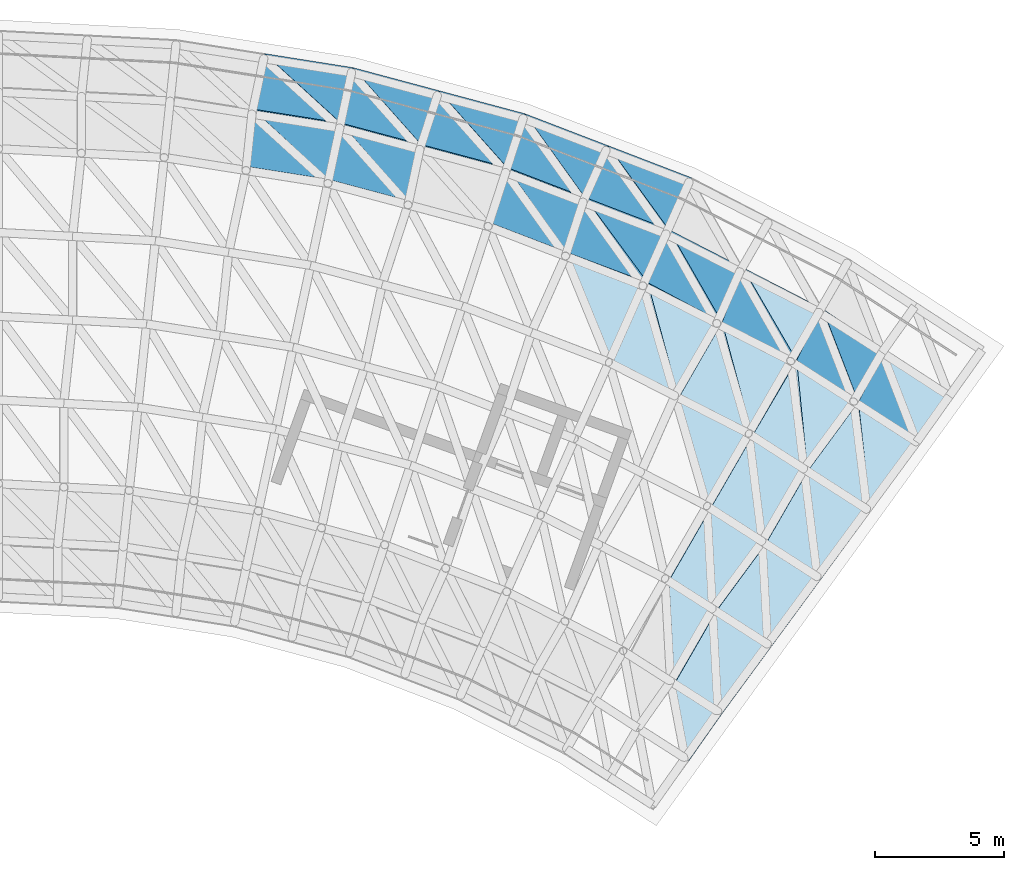
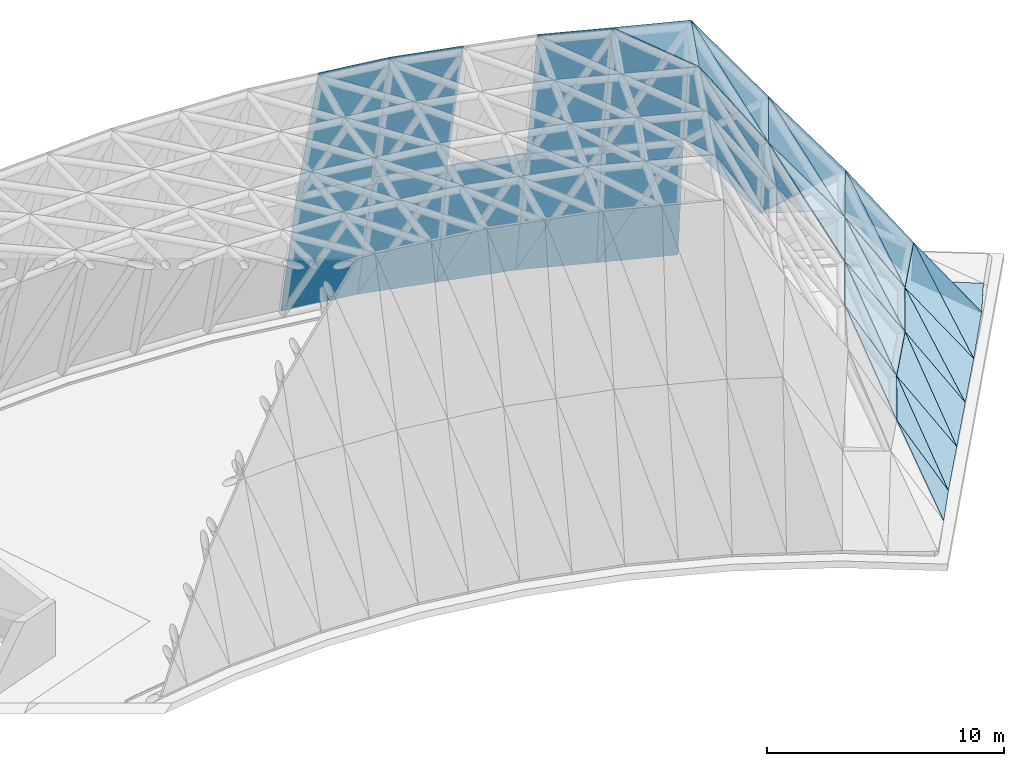
# One storey, part 18 of 20: 48 plates, 25 elements without a shape of their own.
"""IFC4 building model written with IfcOpenShell, lengths in metres."""

from ifc_helpers import new_model, si_unit, direction, frame, origin, place, context, subcontext, project, spatial, polyline, outline, extrude, material, layer, layer_set, type_object, element, aggregate, save


model = new_model("IFC4")

# Units and contexts
model_context = context("Model", 3, precision=1e-05, world=origin(), true_north=direction((0.0, 1.0)))
body_context = subcontext(model_context, "Body", "Model", "MODEL_VIEW")
ifc_project = project(units=[si_unit("LENGTHUNIT", "METRE"), si_unit("AREAUNIT", "SQUARE_METRE"), si_unit("VOLUMEUNIT", "CUBIC_METRE"), si_unit("PLANEANGLEUNIT", "RADIAN"), si_unit("MASSUNIT", "GRAM", prefix="KILO")], contexts=[model_context])

# Site, building, storey
site_placement = place(None, origin())
site = spatial("IfcSite", under=ifc_project, at=site_placement, CompositionType="ELEMENT")
building_placement = place(site_placement, origin())
building = spatial("IfcBuilding", under=site, at=building_placement, Name="Stone Belt Terrace Tower", CompositionType="ELEMENT")
storey_placement = place(building_placement, frame((0.0, 0.0, 337.39990234375)))
storey = spatial("IfcBuildingStorey", under=building, at=storey_placement, Name="RF", CompositionType="ELEMENT", Elevation=337.39990234375)

# Curtain wall, plate
ifc_material_1 = material(Name="Structural steel C345", Category="steel")
ifc_layer_1 = layer(ifc_material_1, 0.324951171875)
ifc_layer_set_1 = layer_set([ifc_layer_1], Name="CW-F glass point curtain wall")
curtain_wall_type = type_object("IfcCurtainWallType", Name="CW-F glass point curtain wall", PredefinedType="NOTDEFINED", material=ifc_layer_set_1)
curtain_wall_1_placement = place(storey_placement, origin())
curtain_wall_1 = element("IfcCurtainWall", 1, at=curtain_wall_1_placement, inside=storey, type_object=curtain_wall_type, Name="CW-F glass point panels 12", PredefinedType="NOTDEFINED")
ifc_material_2 = material(Name="Clear double glazed unit")
ifc_layer_2 = layer(ifc_material_2, 0.044921875)
ifc_layer_set_2 = layer_set([ifc_layer_2], Name="Glass point facet panel 45")
plate_type = type_object("IfcPlateType", Name="Glass point facet panel 45", PredefinedType="CURTAIN_PANEL", material=ifc_layer_set_2)
plate_1_placement = place(storey_placement, frame((13.74658203125, 64.65380859375, 0.22021484375), z_axis=(0.150134435426, 0.947867144522, 0.281082777193), x_axis=(-0.058952652486, -0.27521646134, 0.95957307391)))
plate_1 = element("IfcPlate", 2, at=plate_1_placement, type_object=plate_type, Name="GLASS POINT FACET 226", PredefinedType="CURTAIN_PANEL", context=body_context, shape_type="SweptSolid", body=[
    extrude(outline(polyline([(0.0, 0.0), (7.818774568471875, -4.163336342344337e-17), (0.05230037956235727, -3.4636551994175466), (0.0, 0.0)])), origin(), (0.0, 0.0, -1.0), 0.044921875),
])

curtain_wall_2_placement = place(storey_placement, origin())
curtain_wall_2 = element("IfcCurtainWall", 3, at=curtain_wall_2_placement, inside=storey, type_object=curtain_wall_type, Name="CW-F glass point panels 18", PredefinedType="NOTDEFINED")
plate_2_placement = place(storey_placement, frame((12.816650390625, 60.308349609375, 15.37255859375), z_axis=(0.150084569004, 0.947886788102, 0.281043162324), x_axis=(-0.341077378322, 0.316452483977, -0.885168937199)))
plate_2 = element("IfcPlate", 4, at=plate_2_placement, type_object=plate_type, Name="GLASS POINT FACET 227", PredefinedType="CURTAIN_PANEL", context=body_context, shape_type="SweptSolid", body=[
    extrude(outline(polyline([(0.0, 0.0), (8.645341661942865, 4.440892098500626e-16), (7.308050738501405, -3.1917276756557293), (0.0, 0.0)])), origin(), (0.0, 0.0, -1.0), 0.044921875),
])
aggregate(curtain_wall_2, [plate_2])

curtain_wall_3_placement = place(storey_placement, origin())
curtain_wall_3 = element("IfcCurtainWall", 5, at=curtain_wall_3_placement, inside=storey, type_object=curtain_wall_type, Name="CW-F glass point panels 25", PredefinedType="NOTDEFINED")
plate_3_placement = place(storey_placement, frame((10.32568359375, 65.19580078125, 0.218994140625), z_axis=(0.150170334257, 0.947874066545, 0.281040254555), x_axis=(0.348134676627, -0.316754897511, 0.882308665849)))
plate_3 = element("IfcPlate", 6, at=plate_3_placement, type_object=plate_type, Name="GLASS POINT FACET 228", PredefinedType="CURTAIN_PANEL", context=body_context, shape_type="SweptSolid", body=[
    extrude(outline(polyline([(0.0, 0.0), (8.503747019505795, 4.440892098500626e-16), (7.142309559678597, -3.1815444204725214), (0.0, 0.0)])), origin(), (0.0, 0.0, -1.0), 0.044921875),
])
aggregate(curtain_wall_3, [plate_3])

curtain_wall_4_placement = place(storey_placement, origin())
curtain_wall_4 = element("IfcCurtainWall", 7, at=curtain_wall_4_placement, inside=storey, type_object=curtain_wall_type, Name="CW-F glass point panels 38", PredefinedType="NOTDEFINED")
plate_4_placement = place(storey_placement, frame((12.817138671875, 60.308349609375, 15.37158203125), z_axis=(0.150103777111, 0.947879199091, 0.281058499298), x_axis=(-0.987685505539, 0.156452290593, -0.000151381026)))
plate_4 = element("IfcPlate", 8, at=plate_4_placement, type_object=plate_type, Name="GLASS POINT FACET 230", PredefinedType="CURTAIN_PANEL", context=body_context, shape_type="SweptSolid", body=[
    extrude(outline(polyline([(0.0, 0.0), (3.225511559862608, 3.5887091909270197e-17), (3.3418845411010394, -7.973488317793041), (0.0, 0.0)])), origin(), (0.0, 0.0, -1.0), 0.044921875),
])
aggregate(curtain_wall_4, [plate_4])

curtain_wall_5_placement = place(storey_placement, origin())
curtain_wall_5 = element("IfcCurtainWall", 9, at=curtain_wall_5_placement, inside=storey, type_object=curtain_wall_type, Name="CW-F glass point panels 5", PredefinedType="NOTDEFINED")
plate_5_placement = place(storey_placement, frame((13.745361328125, 64.654052734375, 0.22021484375), z_axis=(0.248465788592, 0.926959620319, 0.281088267625), x_axis=(0.965908327104, -0.258884334491, -7.0617658e-05)))
plate_5 = element("IfcPlate", 10, at=plate_5_placement, type_object=plate_type, Name="GLASS POINT FACET 257", PredefinedType="CURTAIN_PANEL", context=body_context, shape_type="SweptSolid", body=[
    extrude(outline(polyline([(0.0, 0.0), (3.457217807369699, -3.347474207548995e-17), (3.3414867928902297, -7.817879284158793), (0.0, 0.0)])), origin(), (0.0, 0.0, -1.0), 0.044921875),
])

# Plate
plate_6_placement = place(storey_placement, frame((20.429443359375, 62.86279296875, 0.22021484375), z_axis=(0.248350662853, 0.926995344934, 0.281072194875), x_axis=(-0.087398816848, -0.2675359281, 0.959575934457)))
plate_6 = element("IfcPlate", 11, at=plate_6_placement, type_object=plate_type, Name="GLASS POINT FACET 258", PredefinedType="CURTAIN_PANEL", context=body_context, shape_type="SweptSolid", body=[
    extrude(outline(polyline([(0.0, 0.0), (7.818751260283176, -9.71445146547012e-17), (0.052355781489517084, -3.46356843020487), (0.0, 0.0)])), origin(), (0.0, 0.0, -1.0), 0.044921875),
])

aggregate(curtain_wall_1, [plate_1, plate_6])

# Curtain wall, plate
curtain_wall_6_placement = place(storey_placement, origin())
curtain_wall_6 = element("IfcCurtainWall", 12, at=curtain_wall_6_placement, inside=storey, type_object=curtain_wall_type, Name="CW-F glass point panels 26", PredefinedType="NOTDEFINED")
plate_7_placement = place(storey_placement, frame((17.083984375, 63.759521484375, 0.218994140625), z_axis=(0.248399808935, 0.926980153705, 0.28107886715), x_axis=(0.313106698235, -0.351433989831, 0.88230286541)))
plate_7 = element("IfcPlate", 13, at=plate_7_placement, type_object=plate_type, Name="GLASS POINT FACET 260", PredefinedType="CURTAIN_PANEL", context=body_context, shape_type="SweptSolid", body=[
    extrude(outline(polyline([(0.0, 0.0), (8.503802924871152, -4.440892098500626e-16), (7.142360488121164, -3.1816631354370433), (0.0, 0.0)])), origin(), (0.0, 0.0, -1.0), 0.044921875),
])

curtain_wall_7_placement = place(storey_placement, origin())
curtain_wall_7 = element("IfcCurtainWall", 14, at=curtain_wall_7_placement, inside=storey, type_object=curtain_wall_type, Name="CW-F glass point panels 32", PredefinedType="NOTDEFINED")
plate_8_placement = place(storey_placement, frame((13.745849609375, 64.654296875, 0.21923828125), z_axis=(0.248336521445, 0.926982792229, 0.281126083863), x_axis=(0.312787398007, -0.351408443661, 0.882426285517)))
plate_8 = element("IfcPlate", 15, at=plate_8_placement, type_object=plate_type, Name="GLASS POINT FACET 261", PredefinedType="CURTAIN_PANEL", context=body_context, shape_type="SweptSolid", body=[
    extrude(outline(polyline([(0.0, 0.0), (8.502336875059585, 0.0), (7.232571678521876, -2.9703775294776618), (0.0, 0.0)])), origin(), (0.0, 0.0, -1.0), 0.044921875),
])
aggregate(curtain_wall_7, [plate_8])

curtain_wall_8_placement = place(storey_placement, origin())
curtain_wall_8 = element("IfcCurtainWall", 16, at=curtain_wall_8_placement, inside=storey, type_object=curtain_wall_type, Name="CW-F glass point panels 44", PredefinedType="NOTDEFINED")
plate_9_placement = place(storey_placement, frame((12.81591796875, 60.30859375, 15.37158203125), z_axis=(0.248363786086, 0.926992925408, 0.281068578828), x_axis=(0.058839653866, 0.275187122062, -0.959588423744)))
plate_9 = element("IfcPlate", 17, at=plate_9_placement, type_object=plate_type, Name="GLASS POINT FACET 263", PredefinedType="CURTAIN_PANEL", context=body_context, shape_type="SweptSolid", body=[
    extrude(outline(polyline([(0.0, 0.0), (7.974864745413177, -4.163336342344337e-17), (-0.04595534017951046, -3.230303134479212), (0.0, 0.0)])), origin(), (0.0, 0.0, -1.0), 0.044921875),
])
aggregate(curtain_wall_8, [plate_9])

curtain_wall_9_placement = place(storey_placement, origin())
curtain_wall_9 = element("IfcCurtainWall", 18, at=curtain_wall_9_placement, inside=storey, type_object=curtain_wall_type, Name="CW-F glass point panels 49", PredefinedType="NOTDEFINED")
plate_10_placement = place(storey_placement, frame((16.40478515625, 61.6669921875, 7.719970703125), z_axis=(0.248426608405, 0.926975782604, 0.281069597612), x_axis=(-0.058782091639, -0.275204282158, 0.959587030334)))
plate_10 = element("IfcPlate", 19, at=plate_10_placement, type_object=plate_type, Name="GLASS POINT FACET 264", PredefinedType="CURTAIN_PANEL", context=body_context, shape_type="SweptSolid", body=[
    extrude(outline(polyline([(0.0, 0.0), (7.974367480471424, -1.249000902703301e-16), (-0.0467137537216753, -3.229883716957077), (0.0, 0.0)])), origin(), (0.0, 0.0, -1.0), 0.044921875),
])
aggregate(curtain_wall_9, [plate_10])

# Plate
plate_11_placement = place(storey_placement, frame((20.42822265625, 62.863037109375, 0.22021484375), z_axis=(0.344018702841, 0.895911385536, 0.281058572833), x_axis=(0.933549294664, -0.358449033261, -7.0616437e-05)))
plate_11 = element("IfcPlate", 20, at=plate_11_placement, type_object=plate_type, Name="GLASS POINT FACET 289", PredefinedType="CURTAIN_PANEL", context=body_context, shape_type="SweptSolid", body=[
    extrude(outline(polyline([(0.0, 0.0), (3.457277597389355, -1.496198998029996e-17), (3.3416889896946484, -7.81780844663548), (0.0, 0.0)])), origin(), (0.0, 0.0, -1.0), 0.044921875),
])

aggregate(curtain_wall_5, [plate_5, plate_11])

# Curtain wall, plate
curtain_wall_10_placement = place(storey_placement, origin())
curtain_wall_10 = element("IfcCurtainWall", 21, at=curtain_wall_10_placement, inside=storey, type_object=curtain_wall_type, Name="CW-F glass point panels 13", PredefinedType="NOTDEFINED")
plate_12_placement = place(storey_placement, frame((26.9091796875, 60.37255859375, 0.240234375), z_axis=(0.342919822797, 0.896201795677, 0.281475285876), x_axis=(-0.113693165237, -0.257844328761, 0.959473900794)))
plate_12 = element("IfcPlate", 22, at=plate_12_placement, type_object=plate_type, Name="GLASS POINT FACET 290", PredefinedType="CURTAIN_PANEL", context=body_context, shape_type="SweptSolid", body=[
    extrude(outline(polyline([(0.0, 0.0), (7.79922652474885, -1.1102230246251565e-16), (0.027841645130627465, -3.486987772451122), (0.0, 0.0)])), origin(), (0.0, 0.0, -1.0), 0.044921875),
])

curtain_wall_11_placement = place(storey_placement, origin())
curtain_wall_11 = element("IfcCurtainWall", 23, at=curtain_wall_11_placement, inside=storey, type_object=curtain_wall_type, Name="CW-F glass point panels 19", PredefinedType="NOTDEFINED")
plate_13_placement = place(storey_placement, frame((25.205078125, 56.301025390625, 15.371826171875), z_axis=(0.3441883744, 0.896689279921, 0.278357141461), x_axis=(-0.281399976548, 0.381362148728, -0.880554918626)))
plate_13 = element("IfcPlate", 24, at=plate_13_placement, type_object=plate_type, Name="GLASS POINT FACET 291", PredefinedType="CURTAIN_PANEL", context=body_context, shape_type="SweptSolid", body=[
    extrude(outline(polyline([(0.0, 0.0), (8.689810603396745, 0.0), (7.293247728289535, -3.2039986932617937), (0.0, 0.0)])), origin(), (0.0, 0.0, -1.0), 0.044921875),
])
aggregate(curtain_wall_11, [plate_13])

# Plate
plate_14_placement = place(storey_placement, frame((23.655029296875, 61.62451171875, 0.218994140625), z_axis=(0.34392231163, 0.895943061015, 0.281075568099), x_axis=(0.277992474484, -0.38306726688, 0.880897072975)))
plate_14 = element("IfcPlate", 25, at=plate_14_placement, type_object=plate_type, Name="GLASS POINT FACET 292", PredefinedType="CURTAIN_PANEL", context=body_context, shape_type="SweptSolid", body=[
    extrude(outline(polyline([(0.0, 0.0), (8.517928142742962, 0.0), (7.1305625758524105, -3.207991891563043), (0.0, 0.0)])), origin(), (0.0, 0.0, -1.0), 0.044921875),
])

aggregate(curtain_wall_6, [plate_7, plate_14])

# Curtain wall, plate
curtain_wall_12_placement = place(storey_placement, origin())
curtain_wall_12 = element("IfcCurtainWall", 26, at=curtain_wall_12_placement, inside=storey, type_object=curtain_wall_type, Name="CW-F glass point panels 33", PredefinedType="NOTDEFINED")
plate_15_placement = place(storey_placement, frame((20.4287109375, 62.86328125, 0.21923828125), z_axis=(0.343924416257, 0.895929631807, 0.281115795985), x_axis=(0.274337630363, -0.382189016133, 0.882423039428)))
plate_15 = element("IfcPlate", 27, at=plate_15_placement, type_object=plate_type, Name="GLASS POINT FACET 293", PredefinedType="CURTAIN_PANEL", context=body_context, shape_type="SweptSolid", body=[
    extrude(outline(polyline([(0.0, 0.0), (8.502368151829424, -8.881784197001252e-16), (7.232535861208682, -2.970403387843164), (0.0, 0.0)])), origin(), (0.0, 0.0, -1.0), 0.044921875),
])
aggregate(curtain_wall_12, [plate_15])

curtain_wall_13_placement = place(storey_placement, origin())
curtain_wall_13 = element("IfcCurtainWall", 28, at=curtain_wall_13_placement, inside=storey, type_object=curtain_wall_type, Name="CW-F glass point panels 39", PredefinedType="NOTDEFINED")
plate_16_placement = place(storey_placement, frame((25.20556640625, 56.30126953125, 15.37109375), z_axis=(0.33754906088, 0.89833857431, 0.281155539525), x_axis=(-0.936098725539, 0.351737367995, 0.0)))
plate_16 = element("IfcPlate", 29, at=plate_16_placement, type_object=plate_type, Name="GLASS POINT FACET 294", PredefinedType="CURTAIN_PANEL", context=body_context, shape_type="SweptSolid", body=[
    extrude(outline(polyline([(0.0, 0.0), (3.355275522692507, 5.551115123125783e-17), (3.4546133131826524, -7.973742747866507), (0.0, 0.0)])), origin(), (0.0, 0.0, -1.0), 0.044921875),
])

curtain_wall_14_placement = place(storey_placement, origin())
curtain_wall_14 = element("IfcCurtainWall", 30, at=curtain_wall_14_placement, inside=storey, type_object=curtain_wall_type, Name="CW-F glass point panels 45", PredefinedType="NOTDEFINED")
plate_17_placement = place(storey_placement, frame((19.049560546875, 58.638671875, 15.37158203125), z_axis=(0.343920212877, 0.895945189244, 0.281071352232), x_axis=(0.087279753776, 0.267533415732, -0.959587471806)))
plate_17 = element("IfcPlate", 31, at=plate_17_placement, type_object=plate_type, Name="GLASS POINT FACET 295", PredefinedType="CURTAIN_PANEL", context=body_context, shape_type="SweptSolid", body=[
    extrude(outline(polyline([(0.0, 0.0), (7.9748726567053705, -1.1102230246251565e-16), (-0.045991924938976775, -3.2305728187425946), (0.0, 0.0)])), origin(), (0.0, 0.0, -1.0), 0.044921875),
])

curtain_wall_15_placement = place(storey_placement, origin())
curtain_wall_15 = element("IfcCurtainWall", 32, at=curtain_wall_15_placement, inside=storey, type_object=curtain_wall_type, Name="CW-F glass point panels 50", PredefinedType="NOTDEFINED")
plate_18_placement = place(storey_placement, frame((22.760986328125, 59.614501953125, 7.719970703125), z_axis=(0.343866168655, 0.895966838515, 0.281068465567), x_axis=(-0.087224116969, -0.267550564475, 0.959587749436)))
plate_18 = element("IfcPlate", 33, at=plate_18_placement, type_object=plate_type, Name="GLASS POINT FACET 296", PredefinedType="CURTAIN_PANEL", context=body_context, shape_type="SweptSolid", body=[
    extrude(outline(polyline([(0.0, 0.0), (7.97436150458287, 4.163336342344337e-17), (-0.046625417300183936, -3.230020305265656), (0.0, 0.0)])), origin(), (0.0, 0.0, -1.0), 0.044921875),
])

curtain_wall_16_placement = place(storey_placement, origin())
curtain_wall_16 = element("IfcCurtainWall", 34, at=curtain_wall_16_placement, inside=storey, type_object=curtain_wall_type, Name="CW-F glass point panels 6", PredefinedType="NOTDEFINED")
plate_19_placement = place(storey_placement, frame((25.20556640625, 56.302001953125, 15.3701171875), z_axis=(0.0, 0.0, 1.0), x_axis=(-0.412132776998, -0.911123797365, 0.0)))
plate_19 = element("IfcPlate", 35, at=plate_19_placement, type_object=plate_type, Name="GLASS POINT FACET 298", PredefinedType="CURTAIN_PANEL", context=body_context, shape_type="SweptSolid", body=[
    extrude(outline(polyline([(0.0, 0.0), (3.4376010012960543, 0.0), (0.21914767611689312, -3.348655243524047), (0.0, 0.0)])), origin(), (0.0, 0.0, -1.0), 0.044921875),
])

curtain_wall_17_placement = place(storey_placement, origin())
curtain_wall_17 = element("IfcCurtainWall", 36, at=curtain_wall_17_placement, inside=storey, type_object=curtain_wall_type, Name="CW-F glass point panels 20", PredefinedType="NOTDEFINED")
plate_20_placement = place(storey_placement, frame((30.98291015625, 53.2890625, 7.462890625), z_axis=(0.386280932468, 0.75822704071, 0.525241654809), x_axis=(-0.377182589558, 0.649501631079, -0.66021278794)))
plate_20 = element("IfcPlate", 37, at=plate_20_placement, type_object=plate_type, Name="GLASS POINT FACET 323", PredefinedType="CURTAIN_PANEL", context=body_context, shape_type="SweptSolid", body=[
    extrude(outline(polyline([(0.0, 0.0), (5.53872682875201, 0.0), (3.3168270841709138, -2.685023914239601), (0.0, 0.0)])), origin(), (0.0, 0.0, -1.0), 0.044921875),
])

# Plate
plate_21_placement = place(storey_placement, frame((30.983154296875, 53.289306640625, 7.4619140625), z_axis=(0.694419585457, 0.67000267626, 0.262445905166), x_axis=(-0.570700152247, 0.290668653067, 0.767992884309)))
plate_21 = element("IfcPlate", 38, at=plate_21_placement, type_object=plate_type, Name="GLASS POINT FACET 326", PredefinedType="CURTAIN_PANEL", context=body_context, shape_type="SweptSolid", body=[
    extrude(outline(polyline([(0.0, 0.0), (5.072322793725801, 0.0), (-0.5704834881100154, -5.508440787515523), (0.0, 0.0)])), origin(), (0.0, 0.0, -1.0), 0.044921875),
])

plate_22_placement = place(storey_placement, frame((25.204345703125, 56.3017578125, 15.371337890625), z_axis=(0.705747143299, 0.661513658598, 0.253615159667), x_axis=(0.102640470834, 0.258731219701, -0.960480655557)))
plate_22 = element("IfcPlate", 39, at=plate_22_placement, type_object=plate_type, Name="GLASS POINT FACET 327", PredefinedType="CURTAIN_PANEL", context=body_context, shape_type="SweptSolid", body=[
    extrude(outline(polyline([(0.0, 0.0), (7.96593143506751, -3.3306690738754696e-16), (3.7545027242616404, -3.5658833601395643), (0.0, 0.0)])), origin(), (0.0, 0.0, -1.0), 0.044921875),
])

aggregate(curtain_wall_15, [plate_18, plate_22])

plate_23_placement = place(storey_placement, frame((28.89501953125, 56.8857421875, 3.8056640625), z_axis=(0.698829977765, 0.665692847087, 0.261705360118), x_axis=(-0.102229716357, -0.269165703817, 0.95765281234)))
plate_23 = element("IfcPlate", 40, at=plate_23_placement, type_object=plate_type, Name="GLASS POINT FACET 328", PredefinedType="CURTAIN_PANEL", context=body_context, shape_type="SweptSolid", body=[
    extrude(outline(polyline([(0.0, 0.0), (7.885694810471071, 2.220446049250313e-16), (3.6464134031588715, -3.532082499429044), (0.0, 0.0)])), origin(), (0.0, 0.0, -1.0), 0.044921875),
])

aggregate(curtain_wall_13, [plate_16, plate_23])

plate_24_placement = place(storey_placement, frame((25.204345703125, 56.302490234375, 15.371337890625), z_axis=(0.671692206959, -0.387862826457, 0.631183021764), x_axis=(0.557124716312, -0.297114323618, -0.775458012516)))
plate_24 = element("IfcPlate", 41, at=plate_24_placement, type_object=plate_type, Name="GLASS POINT FACET 329", PredefinedType="CURTAIN_PANEL", context=body_context, shape_type="SweptSolid", body=[
    extrude(outline(polyline([(0.0, 0.0), (5.17839126708081, 1.6653345369377348e-16), (5.116431188204519, -3.3816406158861243), (0.0, 0.0)])), origin(), (0.0, 0.0, -1.0), 0.044921875),
])

aggregate(curtain_wall_10, [plate_12, plate_24])

plate_25_placement = place(storey_placement, frame((30.9833984375, 53.2900390625, 7.46142578125), z_axis=(0.657935780101, -0.397691876402, 0.639501118612), x_axis=(-0.505501924623, -0.862669571663, -0.016401656299)))
plate_25 = element("IfcPlate", 42, at=plate_25_placement, type_object=plate_type, Name="GLASS POINT FACET 330", PredefinedType="CURTAIN_PANEL", context=body_context, shape_type="SweptSolid", body=[
    extrude(outline(polyline([(0.0, 0.0), (3.3938073987655697, -2.7755575615628914e-17), (0.12756393595980883, -5.071255787380153), (0.0, 0.0)])), origin(), (0.0, 0.0, -1.0), 0.044921875),
])

aggregate(curtain_wall_16, [plate_19, plate_25])

plate_26_placement = place(storey_placement, frame((27.646240234375, 47.545654296875, 7.4013671875), z_axis=(0.671162772397, -0.387389817433, 0.632036124203), x_axis=(-0.208590268802, 0.719456184402, 0.662474828568)))
plate_26 = element("IfcPlate", 43, at=plate_26_placement, type_object=plate_type, Name="GLASS POINT FACET 331", PredefinedType="CURTAIN_PANEL", context=body_context, shape_type="SweptSolid", body=[
    extrude(outline(polyline([(0.0, 0.0), (5.959837290771831, -4.440892098500626e-16), (1.6918470437231512, -2.776684097689226), (0.0, 0.0)])), origin(), (0.0, 0.0, -1.0), 0.044921875),
])

# Curtain wall, plate
curtain_wall_18_placement = place(storey_placement, origin())
curtain_wall_18 = element("IfcCurtainWall", 44, at=curtain_wall_18_placement, inside=storey, type_object=curtain_wall_type, Name="CW-F glass point panels 27", PredefinedType="NOTDEFINED")
plate_27_placement = place(storey_placement, frame((28.0888671875, 54.7646484375, 11.356689453125), z_axis=(0.671074610798, -0.387510073284, 0.632056017965), x_axis=(0.195574738497, -0.729803002864, -0.655086329175)))
plate_27 = element("IfcPlate", 45, at=plate_27_placement, type_object=plate_type, Name="GLASS POINT FACET 332", PredefinedType="CURTAIN_PANEL", context=body_context, shape_type="SweptSolid", body=[
    extrude(outline(polyline([(0.0, 0.0), (6.031901200869717, 0.0), (1.8152962054714077, -2.8537750424282127), (0.0, 0.0)])), origin(), (0.0, 0.0, -1.0), 0.044921875),
])

# Plate
plate_28_placement = place(storey_placement, frame((25.204833984375, 56.302734375, 15.37060546875), z_axis=(0.736018870056, -0.33295272084, 0.589422351635), x_axis=(0.195579667602, -0.728975142097, -0.656005972401)))
plate_28 = element("IfcPlate", 46, at=plate_28_placement, type_object=plate_type, Name="GLASS POINT FACET 333", PredefinedType="CURTAIN_PANEL", context=body_context, shape_type="SweptSolid", body=[
    extrude(outline(polyline([(0.0, 0.0), (6.1328608711424675, -2.220446049250313e-16), (2.0059434354793733, -2.7913728345382025), (0.0, 0.0)])), origin(), (0.0, 0.0, -1.0), 0.044921875),
])

aggregate(curtain_wall_14, [plate_17, plate_21, plate_28])

plate_29_placement = place(storey_placement, frame((35.788818359375, 50.104248046875, 0.3701171875), z_axis=(0.0, 0.0, 1.0), x_axis=(-0.361555241351, 0.932350689093, 0.0)))
plate_29 = element("IfcPlate", 47, at=plate_29_placement, type_object=plate_type, Name="GLASS POINT FACET 355", PredefinedType="CURTAIN_PANEL", context=body_context, shape_type="SweptSolid", body=[
    extrude(outline(polyline([(0.0, 0.0), (3.7955872192462308, 0.0), (1.2693346353522614, -1.6938861493229398), (0.0, 0.0)])), origin(), (0.0, 0.0, -1.0), 0.044921875),
])

# Curtain wall, plate
curtain_wall_19_placement = place(storey_placement, origin())
curtain_wall_19 = element("IfcCurtainWall", 48, at=curtain_wall_19_placement, inside=storey, type_object=curtain_wall_type, Name="CW-F glass point panels 14", PredefinedType="NOTDEFINED")
plate_30_placement = place(storey_placement, frame((35.789306640625, 50.104736328125, 0.36962890625), z_axis=(0.839965238809, 0.325761137403, 0.433979353137), x_axis=(-0.53320407775, 0.346987820809, 0.771552243002)))
plate_30 = element("IfcPlate", 49, at=plate_30_placement, type_object=plate_type, Name="GLASS POINT FACET 358", PredefinedType="CURTAIN_PANEL", context=body_context, shape_type="SweptSolid", body=[
    extrude(outline(polyline([(0.0, 0.0), (4.519222694091637, 0.0), (1.959181501050594, -3.2496937345080252), (0.0, 0.0)])), origin(), (0.0, 0.0, -1.0), 0.044921875),
])

curtain_wall_20_placement = place(storey_placement, origin())
curtain_wall_20 = element("IfcCurtainWall", 50, at=curtain_wall_20_placement, inside=storey, type_object=curtain_wall_type, Name="CW-F glass point panels 40", PredefinedType="NOTDEFINED")
plate_31_placement = place(storey_placement, frame((30.982177734375, 53.289794921875, 7.462890625), z_axis=(0.847849437248, 0.32815533357, 0.416491787203), x_axis=(0.236511921808, 0.468961834316, -0.850962342761)))
plate_31 = element("IfcPlate", 51, at=plate_31_placement, type_object=plate_type, Name="GLASS POINT FACET 359", PredefinedType="CURTAIN_PANEL", context=body_context, shape_type="SweptSolid", body=[
    extrude(outline(polyline([(0.0, 0.0), (4.267342364959196, -2.220446049250313e-16), (2.878826539793101, -3.6192196429622543), (0.0, 0.0)])), origin(), (0.0, 0.0, -1.0), 0.044921875),
])

curtain_wall_21_placement = place(storey_placement, origin())
curtain_wall_21 = element("IfcCurtainWall", 52, at=curtain_wall_21_placement, inside=storey, type_object=curtain_wall_type, Name="CW-F glass point panels 46", PredefinedType="NOTDEFINED")
plate_32_placement = place(storey_placement, frame((34.417724609375, 53.641845703125, 0.369140625), z_axis=(0.84021500055, 0.325336942694, 0.433814046072), x_axis=(-0.250812486969, -0.476130622322, 0.842847985622)))
plate_32 = element("IfcPlate", 53, at=plate_32_placement, type_object=plate_type, Name="GLASS POINT FACET 360", PredefinedType="CURTAIN_PANEL", context=body_context, shape_type="SweptSolid", body=[
    extrude(outline(polyline([(0.0, 0.0), (4.136945766887418, 2.220446049250313e-16), (2.7425427955881116, -3.616955539451954), (0.0, 0.0)])), origin(), (0.0, 0.0, -1.0), 0.044921875),
])

# Plate
plate_33_placement = place(storey_placement, frame((30.982177734375, 53.290771484375, 7.462890625), z_axis=(0.628322419166, -0.462869570454, 0.625270100293), x_axis=(0.518670977566, -0.349792763089, -0.780144499386)))
plate_33 = element("IfcPlate", 54, at=plate_33_placement, type_object=plate_type, Name="GLASS POINT FACET 361", PredefinedType="CURTAIN_PANEL", context=body_context, shape_type="SweptSolid", body=[
    extrude(outline(polyline([(0.0, 0.0), (4.624669095393328, 1.3877787807814457e-17), (4.547857969546439, -3.3376868731470815), (0.0, 0.0)])), origin(), (0.0, 0.0, -1.0), 0.044921875),
])

aggregate(curtain_wall_18, [plate_27, plate_33])

# Curtain wall, plate
curtain_wall_22_placement = place(storey_placement, origin())
curtain_wall_22 = element("IfcCurtainWall", 55, at=curtain_wall_22_placement, inside=storey, type_object=curtain_wall_type, Name="CW-F glass point panels 7", PredefinedType="NOTDEFINED")
plate_34_placement = place(storey_placement, frame((35.78955078125, 50.105712890625, 0.36962890625), z_axis=(0.617773014815, -0.463379588901, 0.635323428464), x_axis=(-0.584672232409, -0.810944932335, -0.02294988823)))
plate_34 = element("IfcPlate", 56, at=plate_34_placement, type_object=plate_type, Name="GLASS POINT FACET 362", PredefinedType="CURTAIN_PANEL", context=body_context, shape_type="SweptSolid", body=[
    extrude(outline(polyline([(0.0, 0.0), (3.32969009957823, 1.3877787807814457e-16), (0.057325940462046615, -4.519177663835926), (0.0, 0.0)])), origin(), (0.0, 0.0, -1.0), 0.044921875),
])

# Plate
plate_35_placement = place(storey_placement, frame((31.923095703125, 44.790283203125, 0.28662109375), z_axis=(0.624087725559, -0.459714180111, 0.631804861814), x_axis=(-0.093616477707, 0.758783862488, 0.644579712006)))
plate_35 = element("IfcPlate", 57, at=plate_35_placement, type_object=plate_type, Name="GLASS POINT FACET 363", PredefinedType="CURTAIN_PANEL", context=body_context, shape_type="SweptSolid", body=[
    extrude(outline(polyline([(0.0, 0.0), (5.526099646644942, 0.0), (1.8097679385717749, -2.694352160400383), (0.0, 0.0)])), origin(), (0.0, 0.0, -1.0), 0.044921875),
])

plate_36_placement = place(storey_placement, frame((33.38037109375, 51.673828125, 3.85595703125), z_axis=(0.624063641814, -0.459748595257, 0.631803608825), x_axis=(0.083010913402, -0.764995671109, -0.638663300528)))
plate_36 = element("IfcPlate", 58, at=plate_36_placement, type_object=plate_type, Name="GLASS POINT FACET 364", PredefinedType="CURTAIN_PANEL", context=body_context, shape_type="SweptSolid", body=[
    extrude(outline(polyline([(0.0, 0.0), (5.579203343810969, -4.440892098500626e-16), (1.8999692933129, -2.7447935678917297), (0.0, 0.0)])), origin(), (0.0, 0.0, -1.0), 0.044921875),
])

aggregate(curtain_wall_17, [plate_20, plate_26, plate_29, plate_36])

# Curtain wall, plate
curtain_wall_23_placement = place(storey_placement, origin())
curtain_wall_23 = element("IfcCurtainWall", 59, at=curtain_wall_23_placement, inside=storey, type_object=curtain_wall_type, Name="CW-F glass point panels 34", PredefinedType="NOTDEFINED")
plate_37_placement = place(storey_placement, frame((30.98291015625, 53.291015625, 7.46240234375), z_axis=(0.696986737477, -0.419473747, 0.581593727064), x_axis=(0.075087533823, -0.76390205159, -0.640948919837)))
plate_37 = element("IfcPlate", 60, at=plate_37_placement, type_object=plate_type, Name="GLASS POINT FACET 365", PredefinedType="CURTAIN_PANEL", context=body_context, shape_type="SweptSolid", body=[
    extrude(outline(polyline([(0.0, 0.0), (5.641202511375159, 4.440892098500626e-16), (2.143361732475135, -2.6313359997683903), (0.0, 0.0)])), origin(), (0.0, 0.0, -1.0), 0.044921875),
])

# Plate
plate_38_placement = place(storey_placement, frame((31.923583984375, 44.79052734375, 0.285888671875), z_axis=(0.70466598002, -0.406887547945, 0.581281670045), x_axis=(-0.489409215416, 0.314436767194, 0.813392979625)))
plate_38 = element("IfcPlate", 61, at=plate_38_placement, type_object=plate_type, Name="GLASS POINT FACET 366", PredefinedType="CURTAIN_PANEL", context=body_context, shape_type="SweptSolid", body=[
    extrude(outline(polyline([(0.0, 0.0), (4.372898284991, 0.0), (4.469171525811823, -3.2505418780045523), (0.0, 0.0)])), origin(), (0.0, 0.0, -1.0), 0.044921875),
])

plate_39_placement = place(storey_placement, frame((27.645751953125, 47.54638671875, 7.40234375), z_axis=(0.704894671335, -0.406695450883, 0.581138806616), x_axis=(0.498909308968, 0.866653145737, 0.001351447338)))
plate_39 = element("IfcPlate", 62, at=plate_39_placement, type_object=plate_type, Name="GLASS POINT FACET 367", PredefinedType="CURTAIN_PANEL", context=body_context, shape_type="SweptSolid", body=[
    extrude(outline(polyline([(0.0, 0.0), (3.251722154634316, 0.0), (-0.13504864701500705, -4.375869023220339), (0.0, 0.0)])), origin(), (0.0, 0.0, -1.0), 0.044921875),
])

aggregate(curtain_wall_20, [plate_31, plate_39])

plate_40_placement = place(storey_placement, frame((31.40673828125, 48.98291015625, 3.84716796875), z_axis=(0.704692325693, -0.406867436994, 0.581263808286), x_axis=(-0.498989391466, -0.866606519494, -0.001651537026)))
plate_40 = element("IfcPlate", 63, at=plate_40_placement, type_object=plate_type, Name="GLASS POINT FACET 368", PredefinedType="CURTAIN_PANEL", context=body_context, shape_type="SweptSolid", body=[
    extrude(outline(polyline([(0.0, 0.0), (3.2521788281079256, -9.8879238130678e-17), (-0.135546631769658, -4.375101163690835), (0.0, 0.0)])), origin(), (0.0, 0.0, -1.0), 0.044921875),
])

# Curtain wall, plate
curtain_wall_24_placement = place(storey_placement, origin())
curtain_wall_24 = element("IfcCurtainWall", 64, at=curtain_wall_24_placement, inside=storey, type_object=curtain_wall_type, Name="CW-F glass point panels 28", PredefinedType="NOTDEFINED")
plate_41_placement = place(storey_placement, frame((27.64599609375, 47.54736328125, 7.40283203125), z_axis=(0.655322892251, -0.482847115576, 0.580870527632), x_axis=(0.48855368539, -0.315552140632, -0.813475348756)))
plate_41 = element("IfcPlate", 65, at=plate_41_placement, type_object=plate_type, Name="GLASS POINT FACET 369", PredefinedType="CURTAIN_PANEL", context=body_context, shape_type="SweptSolid", body=[
    extrude(outline(polyline([(0.0, 0.0), (4.377557551922287, -6.938893903907228e-17), (4.268774262404868, -3.2498076795828945), (0.0, 0.0)])), origin(), (0.0, 0.0, -1.0), 0.044921875),
])
aggregate(curtain_wall_24, [plate_41])

curtain_wall_25_placement = place(storey_placement, origin())
curtain_wall_25 = element("IfcCurtainWall", 66, at=curtain_wall_25_placement, inside=storey, type_object=curtain_wall_type, Name="CW-F glass point panels 21", PredefinedType="NOTDEFINED")
plate_42_placement = place(storey_placement, frame((31.923828125, 44.79150390625, 0.28662109375), z_axis=(0.655228346931, -0.482878052494, 0.580951460794), x_axis=(-0.592528709992, -0.805548325888, -0.001273771885)))
plate_42 = element("IfcPlate", 67, at=plate_42_placement, type_object=plate_type, Name="GLASS POINT FACET 370", PredefinedType="CURTAIN_PANEL", context=body_context, shape_type="SweptSolid", body=[
    extrude(outline(polyline([(0.0, 0.0), (3.2583468614152697, 2.688821387764051e-17), (0.15593315223643436, -4.369918484637444), (0.0, 0.0)])), origin(), (0.0, 0.0, -1.0), 0.044921875),
])

# Plate
plate_43_placement = place(storey_placement, frame((28.07421875, 39.552734375, 0.27490234375), z_axis=(0.655352690235, -0.48279507479, 0.580880165921), x_axis=(-0.040107210152, 0.745720650568, 0.665050466513)))
plate_43 = element("IfcPlate", 68, at=plate_43_placement, type_object=plate_type, Name="GLASS POINT FACET 371", PredefinedType="CURTAIN_PANEL", context=body_context, shape_type="SweptSolid", body=[
    extrude(outline(polyline([(0.0, 0.0), (5.3567363371331, 0.0), (1.8782649103315507, -2.6453221068455917), (0.0, 0.0)])), origin(), (0.0, 0.0, -1.0), 0.044921875),
])

aggregate(curtain_wall_22, [plate_34, plate_38, plate_43])

plate_44_placement = place(storey_placement, frame((29.784423828125, 46.166748046875, 3.8427734375), z_axis=(0.655360655788, -0.482820695866, 0.58084988292), x_axis=(0.039040976415, -0.746334091725, -0.664425485431)))
plate_44 = element("IfcPlate", 69, at=plate_44_placement, type_object=plate_type, Name="GLASS POINT FACET 372", PredefinedType="CURTAIN_PANEL", context=body_context, shape_type="SweptSolid", body=[
    extrude(outline(polyline([(0.0, 0.0), (5.359202941045525, 4.440892098500626e-16), (1.8843927925110093, -2.649932950332735), (0.0, 0.0)])), origin(), (0.0, 0.0, -1.0), 0.044921875),
])

plate_45_placement = place(storey_placement, frame((27.646484375, 47.547607421875, 7.40234375), z_axis=(0.738353667339, -0.426357201131, 0.522545116684), x_axis=(0.039816161685, -0.745904596969, -0.66486164387)))
plate_45 = element("IfcPlate", 70, at=plate_45_placement, type_object=plate_type, Name="GLASS POINT FACET 373", PredefinedType="CURTAIN_PANEL", context=body_context, shape_type="SweptSolid", body=[
    extrude(outline(polyline([(0.0, 0.0), (5.365234563860146, 0.0), (2.0409527293840317, -2.530788713355038), (0.0, 0.0)])), origin(), (0.0, 0.0, -1.0), 0.044921875),
])

aggregate(curtain_wall_23, [plate_37, plate_45])

plate_46_placement = place(storey_placement, frame((28.07470703125, 39.552978515625, 0.2744140625), z_axis=(0.738378761806, -0.426308773778, 0.522549168513), x_axis=(-0.440162273764, 0.282401373728, 0.852353586765)))
plate_46 = element("IfcPlate", 71, at=plate_46_placement, type_object=plate_type, Name="GLASS POINT FACET 374", PredefinedType="CURTAIN_PANEL", context=body_context, shape_type="SweptSolid", body=[
    extrude(outline(polyline([(0.0, 0.0), (4.1721562494349484, 4.0245584642661925e-16), (4.259164457014609, -3.2487139476515288), (0.0, 0.0)])), origin(), (0.0, 0.0, -1.0), 0.044921875),
])

aggregate(curtain_wall_25, [plate_42, plate_46])

plate_47_placement = place(storey_placement, frame((27.8603515625, 43.546875, 3.835693359375), z_axis=(0.738363836526, -0.42632724287, 0.522555190289), x_axis=(-0.498990845368, -0.866605055397, -0.001952997438)))
plate_47 = element("IfcPlate", 72, at=plate_47_placement, type_object=plate_type, Name="GLASS POINT FACET 376", PredefinedType="CURTAIN_PANEL", context=body_context, shape_type="SweptSolid", body=[
    extrude(outline(polyline([(0.0, 0.0), (3.250212277302292, 6.938893903907228e-18), (-0.11715013758778266, -4.176679608362328), (0.0, 0.0)])), origin(), (0.0, 0.0, -1.0), 0.044921875),
])

aggregate(curtain_wall_21, [plate_32, plate_40, plate_47])

plate_48_placement = place(storey_placement, frame((28.074951171875, 39.553955078125, 0.274658203125), z_axis=(0.696976045272, -0.491070075767, 0.522565376775), x_axis=(-0.57497425339, -0.818169105063, -0.001980772548)))
plate_48 = element("IfcPlate", 73, at=plate_48_placement, type_object=plate_type, Name="GLASS POINT FACET 378", PredefinedType="CURTAIN_PANEL", context=body_context, shape_type="SweptSolid", body=[
    extrude(outline(polyline([(0.0, 0.0), (2.2185945859394742, -1.5308934675495323e-16), (0.085007161126187, -4.172022057481672), (0.0, 0.0)])), origin(), (0.0, 0.0, -1.0), 0.044921875),
])

aggregate(curtain_wall_19, [plate_30, plate_35, plate_44, plate_48])

save(model, "model.ifc")
